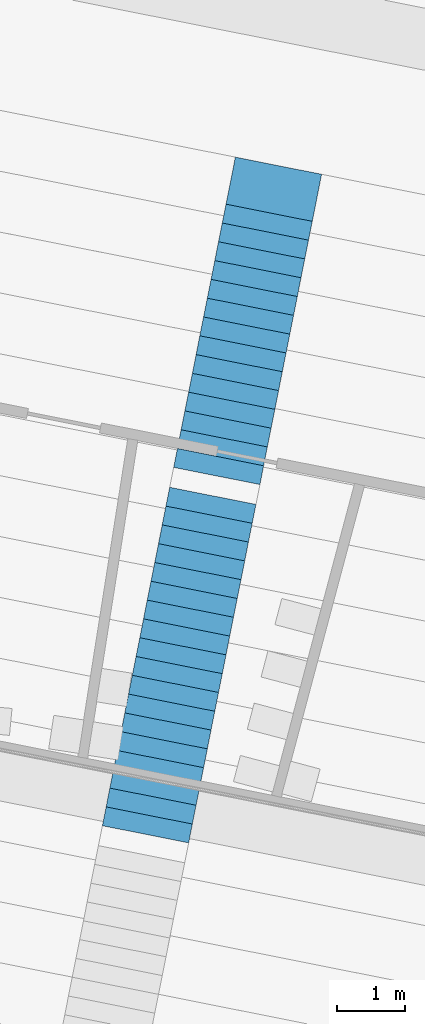
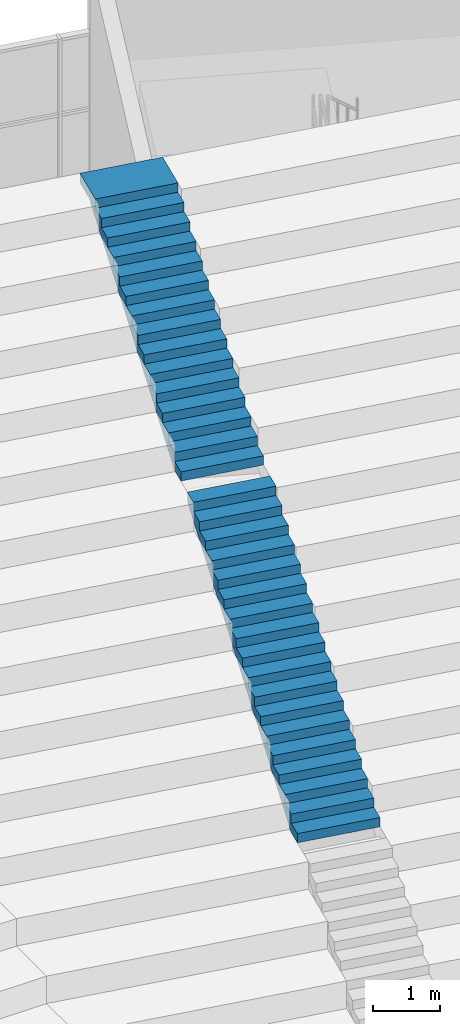
# One storey, part 206 of 249: 2 stair flights, 1 element without a shape of its own.
"""IFC4 building model written with IfcOpenShell, lengths in metres."""

from ifc_helpers import new_model, si_unit, direction, frame, origin, place, context, subcontext, project, spatial, faceted_brep, material, type_object, element, aggregate, save


model = new_model("IFC4")

# Units and contexts
model_context = context("Model", 3, precision=1e-05, world=origin(), true_north=direction((0.0, 1.0)))
body_context = subcontext(model_context, "Body", "Model", "MODEL_VIEW")
ifc_project = project(units=[si_unit("LENGTHUNIT", "METRE"), si_unit("AREAUNIT", "SQUARE_METRE"), si_unit("VOLUMEUNIT", "CUBIC_METRE"), si_unit("PLANEANGLEUNIT", "RADIAN"), si_unit("MASSUNIT", "GRAM", prefix="KILO")], contexts=[model_context])

# Site, building, storey
site_placement = place(None, origin())
site = spatial("IfcSite", under=ifc_project, at=site_placement, CompositionType="ELEMENT")
building_placement = place(site_placement, origin())
building = spatial("IfcBuilding", under=site, at=building_placement, Name="Ogive Plaza Stadium", CompositionType="ELEMENT")
storey_placement = place(building_placement, frame((0.0, 0.0, 13.5)))
storey = spatial("IfcBuildingStorey", under=building, at=storey_placement, Name="L03", CompositionType="ELEMENT", Elevation=13.5)

# Stair, stair flights
ifc_material_1 = material(Name="Concrete C40/50", Category="concrete")
stair_type = type_object("IfcStairType", Name="Aisle stair", PredefinedType="STRAIGHT_RUN_STAIR", material=ifc_material_1)
stair_placement = place(storey_placement, origin())
stair = element("IfcStair", 1, at=stair_placement, inside=storey, type_object=stair_type, Name="Aisle stair SA37U", PredefinedType="STRAIGHT_RUN_STAIR")
ifc_material_2 = material(Name="Concrete C40/50", Category="concrete")
stair_flight_type = type_object("IfcStairFlightType", Name="Aisle stair flight", PredefinedType="STRAIGHT", material=ifc_material_2)
stair_flight_1_placement = place(storey_placement, frame((39.248046875, 78.883056640625, 3.5), z_axis=(0.0, 0.0, 1.0), x_axis=(0.195090322016, 0.980785280403, 0.0)))
stair_flight_1 = element("IfcStairFlight", 2, at=stair_flight_1_placement, type_object=stair_flight_type, Name="SA37U flight 2", NumberOfRisers=18, NumberOfTreads=17, PredefinedType="STRAIGHT", RiserHeight=0.166666667, TreadLength=0.283333333, context=body_context, shape_type="Brep", body=[
    faceted_brep([(0.295654296875, -0.64990234375, 0.0), (5.10009765625, -0.64990234375, 2.826171875), (5.10009765625, -0.64990234375, 3.0), (4.816650390625, -0.64990234375, 3.0), (4.816650390625, -0.64990234375, 2.833251953125), (4.533447265625, -0.64990234375, 2.833251953125), (4.533447265625, -0.64990234375, 2.666748046875), (4.25, -0.64990234375, 2.666748046875), (4.25, -0.64990234375, 2.5), (3.966552734375, -0.64990234375, 2.5), (3.966552734375, -0.64990234375, 2.333251953125), (3.683349609375, -0.64990234375, 2.333251953125), (3.683349609375, -0.64990234375, 2.166748046875), (3.39990234375, -0.64990234375, 2.166748046875), (3.39990234375, -0.64990234375, 2.0), (3.11669921875, -0.64990234375, 2.0), (3.11669921875, -0.64990234375, 1.833251953125), (2.833251953125, -0.64990234375, 1.833251953125), (2.833251953125, -0.64990234375, 1.666748046875), (2.550048828125, -0.64990234375, 1.666748046875), (2.550048828125, -0.64990234375, 1.5), (2.2666015625, -0.64990234375, 1.5), (2.2666015625, -0.64990234375, 1.333251953125), (1.9833984375, -0.64990234375, 1.333251953125), (1.9833984375, -0.64990234375, 1.166748046875), (1.699951171875, -0.64990234375, 1.166748046875), (1.699951171875, -0.64990234375, 1.0), (1.416748046875, -0.64990234375, 1.0), (1.416748046875, -0.64990234375, 0.833251953125), (1.13330078125, -0.64990234375, 0.833251953125), (1.13330078125, -0.64990234375, 0.666748046875), (0.85009765625, -0.64990234375, 0.666748046875), (0.85009765625, -0.64990234375, 0.5), (0.566650390625, -0.64990234375, 0.5), (0.566650390625, -0.64990234375, 0.333251953125), (0.283447265625, -0.64990234375, 0.333251953125), (0.283447265625, -0.64990234375, 0.166748046875), (0.0, -0.64990234375, 0.166748046875), (0.0, -0.64990234375, 0.0), (0.0, 0.64990234375, 0.0), (0.0, 0.64990234375, 0.166748046875), (0.283447265625, 0.64990234375, 0.166748046875), (0.283447265625, 0.64990234375, 0.333251953125), (0.566650390625, 0.64990234375, 0.333251953125), (0.566650390625, 0.64990234375, 0.5), (0.85009765625, 0.64990234375, 0.5), (0.85009765625, 0.64990234375, 0.666748046875), (1.13330078125, 0.64990234375, 0.666748046875), (1.13330078125, 0.64990234375, 0.833251953125), (1.416748046875, 0.64990234375, 0.833251953125), (1.416748046875, 0.64990234375, 1.0), (1.699951171875, 0.64990234375, 1.0), (1.699951171875, 0.64990234375, 1.166748046875), (1.9833984375, 0.64990234375, 1.166748046875), (1.9833984375, 0.64990234375, 1.333251953125), (2.2666015625, 0.64990234375, 1.333251953125), (2.2666015625, 0.64990234375, 1.5), (2.550048828125, 0.64990234375, 1.5), (2.550048828125, 0.64990234375, 1.666748046875), (2.833251953125, 0.64990234375, 1.666748046875), (2.833251953125, 0.64990234375, 1.833251953125), (3.11669921875, 0.64990234375, 1.833251953125), (3.11669921875, 0.64990234375, 2.0), (3.39990234375, 0.64990234375, 2.0), (3.39990234375, 0.64990234375, 2.166748046875), (3.683349609375, 0.64990234375, 2.166748046875), (3.683349609375, 0.64990234375, 2.333251953125), (3.966552734375, 0.64990234375, 2.333251953125), (3.966552734375, 0.64990234375, 2.5), (4.25, 0.64990234375, 2.5), (4.25, 0.64990234375, 2.666748046875), (4.533447265625, 0.64990234375, 2.666748046875), (4.533447265625, 0.64990234375, 2.833251953125), (4.816650390625, 0.64990234375, 2.833251953125), (4.816650390625, 0.64990234375, 3.0), (5.10009765625, 0.64990234375, 3.0), (5.10009765625, 0.64990234375, 2.826171875), (0.295654296875, 0.64990234375, 0.0), (0.295654296875, -0.324951171875, 0.0), (5.10009765625, -0.324951171875, 2.826171875), (0.295654296875, 0.0, 0.0), (5.10009765625, 0.0, 2.826171875), (0.295654296875, 0.324951171875, 0.0), (5.10009765625, 0.324951171875, 2.826171875), (5.10009765625, -0.324951171875, 3.0), (5.10009765625, 0.0, 3.0), (5.10009765625, 0.324951171875, 3.0), (4.816650390625, -0.324951171875, 3.0), (4.816650390625, 0.0, 3.0), (4.816650390625, 0.324951171875, 3.0), (4.816650390625, -0.324951171875, 2.833251953125), (4.816650390625, 0.0, 2.833251953125), (4.816650390625, 0.324951171875, 2.833251953125), (4.533447265625, -0.324951171875, 2.833251953125), (4.533447265625, 0.0, 2.833251953125), (4.533447265625, 0.324951171875, 2.833251953125), (4.533447265625, -0.324951171875, 2.666748046875), (4.533447265625, 0.0, 2.666748046875), (4.533447265625, 0.324951171875, 2.666748046875), (4.25, -0.324951171875, 2.666748046875), (4.25, 0.0, 2.666748046875), (4.25, 0.324951171875, 2.666748046875), (4.25, -0.324951171875, 2.5), (4.25, 0.0, 2.5), (4.25, 0.324951171875, 2.5), (3.966552734375, -0.324951171875, 2.5), (3.966552734375, 0.0, 2.5), (3.966552734375, 0.324951171875, 2.5), (3.966552734375, -0.324951171875, 2.333251953125), (3.966552734375, 0.0, 2.333251953125), (3.966552734375, 0.324951171875, 2.333251953125), (3.683349609375, -0.324951171875, 2.333251953125), (3.683349609375, 0.0, 2.333251953125), (3.683349609375, 0.324951171875, 2.333251953125), (3.683349609375, -0.324951171875, 2.166748046875), (3.683349609375, 0.0, 2.166748046875), (3.683349609375, 0.324951171875, 2.166748046875), (3.39990234375, -0.324951171875, 2.166748046875), (3.39990234375, 0.0, 2.166748046875), (3.39990234375, 0.324951171875, 2.166748046875), (3.39990234375, -0.324951171875, 2.0), (3.39990234375, 0.0, 2.0), (3.39990234375, 0.324951171875, 2.0), (3.11669921875, -0.324951171875, 2.0), (3.11669921875, 0.0, 2.0), (3.11669921875, 0.324951171875, 2.0), (3.11669921875, -0.324951171875, 1.833251953125), (3.11669921875, 0.0, 1.833251953125), (3.11669921875, 0.324951171875, 1.833251953125), (2.833251953125, -0.324951171875, 1.833251953125), (2.833251953125, 0.0, 1.833251953125), (2.833251953125, 0.324951171875, 1.833251953125), (2.833251953125, -0.324951171875, 1.666748046875), (2.833251953125, 0.0, 1.666748046875), (2.833251953125, 0.324951171875, 1.666748046875), (2.550048828125, -0.324951171875, 1.666748046875), (2.550048828125, 0.0, 1.666748046875), (2.550048828125, 0.324951171875, 1.666748046875), (2.550048828125, -0.324951171875, 1.5), (2.550048828125, 0.0, 1.5), (2.550048828125, 0.324951171875, 1.5), (2.2666015625, -0.324951171875, 1.5), (2.2666015625, 0.0, 1.5), (2.2666015625, 0.324951171875, 1.5), (2.2666015625, -0.324951171875, 1.333251953125), (2.2666015625, 0.0, 1.333251953125), (2.2666015625, 0.324951171875, 1.333251953125), (1.9833984375, -0.324951171875, 1.333251953125), (1.9833984375, 0.0, 1.333251953125), (1.9833984375, 0.324951171875, 1.333251953125), (1.9833984375, -0.324951171875, 1.166748046875), (1.9833984375, 0.0, 1.166748046875), (1.9833984375, 0.324951171875, 1.166748046875), (1.699951171875, -0.324951171875, 1.166748046875), (1.699951171875, 0.0, 1.166748046875), (1.699951171875, 0.324951171875, 1.166748046875), (1.699951171875, -0.324951171875, 1.0), (1.699951171875, 0.0, 1.0), (1.699951171875, 0.324951171875, 1.0), (1.416748046875, -0.324951171875, 1.0), (1.416748046875, 0.0, 1.0), (1.416748046875, 0.324951171875, 1.0), (1.416748046875, -0.324951171875, 0.833251953125), (1.416748046875, 0.0, 0.833251953125), (1.416748046875, 0.324951171875, 0.833251953125), (1.13330078125, -0.324951171875, 0.833251953125), (1.13330078125, 0.0, 0.833251953125), (1.13330078125, 0.324951171875, 0.833251953125), (1.13330078125, -0.324951171875, 0.666748046875), (1.13330078125, 0.0, 0.666748046875), (1.13330078125, 0.324951171875, 0.666748046875), (0.85009765625, -0.324951171875, 0.666748046875), (0.85009765625, 0.0, 0.666748046875), (0.85009765625, 0.324951171875, 0.666748046875), (0.85009765625, -0.324951171875, 0.5), (0.85009765625, 0.0, 0.5), (0.85009765625, 0.324951171875, 0.5), (0.566650390625, -0.324951171875, 0.5), (0.566650390625, 0.0, 0.5), (0.566650390625, 0.324951171875, 0.5), (0.566650390625, -0.324951171875, 0.333251953125), (0.566650390625, 0.0, 0.333251953125), (0.566650390625, 0.324951171875, 0.333251953125), (0.283447265625, -0.324951171875, 0.333251953125), (0.283447265625, 0.0, 0.333251953125), (0.283447265625, 0.324951171875, 0.333251953125), (0.283447265625, -0.324951171875, 0.166748046875), (0.283447265625, 0.0, 0.166748046875), (0.283447265625, 0.324951171875, 0.166748046875), (0.0, -0.324951171875, 0.166748046875), (0.0, 0.0, 0.166748046875), (0.0, 0.324951171875, 0.166748046875), (0.0, -0.324951171875, 0.0), (0.0, 0.0, 0.0), (0.0, 0.324951171875, 0.0)], [[[0, 1, 2, 3, 4, 5, 6, 7, 8, 9, 10, 11, 12, 13, 14, 15, 16, 17, 18, 19, 20, 21, 22, 23, 24, 25, 26, 27, 28, 29, 30, 31, 32, 33, 34, 35, 36, 37, 38]], [[39, 40, 41, 42, 43, 44, 45, 46, 47, 48, 49, 50, 51, 52, 53, 54, 55, 56, 57, 58, 59, 60, 61, 62, 63, 64, 65, 66, 67, 68, 69, 70, 71, 72, 73, 74, 75, 76, 77]], [[0, 78, 79, 1]], [[78, 80, 81, 79]], [[80, 82, 83, 81]], [[82, 77, 76, 83]], [[1, 79, 84, 2]], [[79, 81, 85, 84]], [[81, 83, 86, 85]], [[83, 76, 75, 86]], [[2, 84, 87, 3]], [[84, 85, 88, 87]], [[85, 86, 89, 88]], [[86, 75, 74, 89]], [[3, 87, 90, 4]], [[87, 88, 91, 90]], [[88, 89, 92, 91]], [[89, 74, 73, 92]], [[4, 90, 93, 5]], [[90, 91, 94, 93]], [[91, 92, 95, 94]], [[92, 73, 72, 95]], [[5, 93, 96, 6]], [[93, 94, 97, 96]], [[94, 95, 98, 97]], [[95, 72, 71, 98]], [[6, 96, 99, 7]], [[96, 97, 100, 99]], [[97, 98, 101, 100]], [[98, 71, 70, 101]], [[7, 99, 102, 8]], [[99, 100, 103, 102]], [[100, 101, 104, 103]], [[101, 70, 69, 104]], [[8, 102, 105, 9]], [[102, 103, 106, 105]], [[103, 104, 107, 106]], [[104, 69, 68, 107]], [[9, 105, 108, 10]], [[105, 106, 109, 108]], [[106, 107, 110, 109]], [[107, 68, 67, 110]], [[10, 108, 111, 11]], [[108, 109, 112, 111]], [[109, 110, 113, 112]], [[110, 67, 66, 113]], [[11, 111, 114, 12]], [[111, 112, 115, 114]], [[112, 113, 116, 115]], [[113, 66, 65, 116]], [[12, 114, 117, 13]], [[114, 115, 118, 117]], [[115, 116, 119, 118]], [[116, 65, 64, 119]], [[13, 117, 120, 14]], [[117, 118, 121, 120]], [[118, 119, 122, 121]], [[119, 64, 63, 122]], [[14, 120, 123, 15]], [[120, 121, 124, 123]], [[121, 122, 125, 124]], [[122, 63, 62, 125]], [[15, 123, 126, 16]], [[123, 124, 127, 126]], [[124, 125, 128, 127]], [[125, 62, 61, 128]], [[16, 126, 129, 17]], [[126, 127, 130, 129]], [[127, 128, 131, 130]], [[128, 61, 60, 131]], [[17, 129, 132, 18]], [[129, 130, 133, 132]], [[130, 131, 134, 133]], [[131, 60, 59, 134]], [[18, 132, 135, 19]], [[132, 133, 136, 135]], [[133, 134, 137, 136]], [[134, 59, 58, 137]], [[19, 135, 138, 20]], [[135, 136, 139, 138]], [[136, 137, 140, 139]], [[137, 58, 57, 140]], [[20, 138, 141, 21]], [[138, 139, 142, 141]], [[139, 140, 143, 142]], [[140, 57, 56, 143]], [[21, 141, 144, 22]], [[141, 142, 145, 144]], [[142, 143, 146, 145]], [[143, 56, 55, 146]], [[22, 144, 147, 23]], [[144, 145, 148, 147]], [[145, 146, 149, 148]], [[146, 55, 54, 149]], [[23, 147, 150, 24]], [[147, 148, 151, 150]], [[148, 149, 152, 151]], [[149, 54, 53, 152]], [[24, 150, 153, 25]], [[150, 151, 154, 153]], [[151, 152, 155, 154]], [[152, 53, 52, 155]], [[25, 153, 156, 26]], [[153, 154, 157, 156]], [[154, 155, 158, 157]], [[155, 52, 51, 158]], [[26, 156, 159, 27]], [[156, 157, 160, 159]], [[157, 158, 161, 160]], [[158, 51, 50, 161]], [[27, 159, 162, 28]], [[159, 160, 163, 162]], [[160, 161, 164, 163]], [[161, 50, 49, 164]], [[28, 162, 165, 29]], [[162, 163, 166, 165]], [[163, 164, 167, 166]], [[164, 49, 48, 167]], [[29, 165, 168, 30]], [[165, 166, 169, 168]], [[166, 167, 170, 169]], [[167, 48, 47, 170]], [[30, 168, 171, 31]], [[168, 169, 172, 171]], [[169, 170, 173, 172]], [[170, 47, 46, 173]], [[31, 171, 174, 32]], [[171, 172, 175, 174]], [[172, 173, 176, 175]], [[173, 46, 45, 176]], [[32, 174, 177, 33]], [[174, 175, 178, 177]], [[175, 176, 179, 178]], [[176, 45, 44, 179]], [[33, 177, 180, 34]], [[177, 178, 181, 180]], [[178, 179, 182, 181]], [[179, 44, 43, 182]], [[34, 180, 183, 35]], [[180, 181, 184, 183]], [[181, 182, 185, 184]], [[182, 43, 42, 185]], [[35, 183, 186, 36]], [[183, 184, 187, 186]], [[184, 185, 188, 187]], [[185, 42, 41, 188]], [[36, 186, 189, 37]], [[186, 187, 190, 189]], [[187, 188, 191, 190]], [[188, 41, 40, 191]], [[37, 189, 192, 38]], [[189, 190, 193, 192]], [[190, 191, 194, 193]], [[191, 40, 39, 194]], [[38, 192, 78, 0]], [[192, 193, 80, 78]], [[193, 194, 82, 80]], [[194, 39, 77, 82]]]),
])
stair_flight_2_placement = place(storey_placement, frame((40.301513671875, 84.179443359375, 6.5), z_axis=(0.0, 0.0, 1.0), x_axis=(0.195090322016, 0.980785280403, 0.0)))
stair_flight_2 = element("IfcStairFlight", 3, at=stair_flight_2_placement, type_object=stair_flight_type, Name="SA37U flight 3", NumberOfRisers=15, NumberOfTreads=14, PredefinedType="STRAIGHT", RiserHeight=0.166666667, TreadLength=0.283333333, context=body_context, shape_type="Brep", body=[
    faceted_brep([(0.295654296875, -0.64990234375, 0.0), (4.25, -0.64990234375, 2.326171875), (4.675537109375, -0.64990234375, 2.326171875), (4.675537109375, -0.64990234375, 2.5), (3.966552734375, -0.64990234375, 2.5), (3.966552734375, -0.64990234375, 2.333251953125), (3.683349609375, -0.64990234375, 2.333251953125), (3.683349609375, -0.64990234375, 2.166748046875), (3.39990234375, -0.64990234375, 2.166748046875), (3.39990234375, -0.64990234375, 2.0), (3.11669921875, -0.64990234375, 2.0), (3.11669921875, -0.64990234375, 1.833251953125), (2.833251953125, -0.64990234375, 1.833251953125), (2.833251953125, -0.64990234375, 1.666748046875), (2.550048828125, -0.64990234375, 1.666748046875), (2.550048828125, -0.64990234375, 1.5), (2.2666015625, -0.64990234375, 1.5), (2.2666015625, -0.64990234375, 1.333251953125), (1.9833984375, -0.64990234375, 1.333251953125), (1.9833984375, -0.64990234375, 1.166748046875), (1.699951171875, -0.64990234375, 1.166748046875), (1.699951171875, -0.64990234375, 1.0), (1.416748046875, -0.64990234375, 1.0), (1.416748046875, -0.64990234375, 0.833251953125), (1.13330078125, -0.64990234375, 0.833251953125), (1.13330078125, -0.64990234375, 0.666748046875), (0.85009765625, -0.64990234375, 0.666748046875), (0.85009765625, -0.64990234375, 0.5), (0.566650390625, -0.64990234375, 0.5), (0.566650390625, -0.64990234375, 0.333251953125), (0.283447265625, -0.64990234375, 0.333251953125), (0.283447265625, -0.64990234375, 0.166748046875), (0.0, -0.64990234375, 0.166748046875), (0.0, -0.64990234375, 0.0), (0.0, 0.64990234375, 0.0), (0.0, 0.64990234375, 0.166748046875), (0.283447265625, 0.64990234375, 0.166748046875), (0.283447265625, 0.64990234375, 0.333251953125), (0.566650390625, 0.64990234375, 0.333251953125), (0.566650390625, 0.64990234375, 0.5), (0.85009765625, 0.64990234375, 0.5), (0.85009765625, 0.64990234375, 0.666748046875), (1.13330078125, 0.64990234375, 0.666748046875), (1.13330078125, 0.64990234375, 0.833251953125), (1.416748046875, 0.64990234375, 0.833251953125), (1.416748046875, 0.64990234375, 1.0), (1.699951171875, 0.64990234375, 1.0), (1.699951171875, 0.64990234375, 1.166748046875), (1.9833984375, 0.64990234375, 1.166748046875), (1.9833984375, 0.64990234375, 1.333251953125), (2.2666015625, 0.64990234375, 1.333251953125), (2.2666015625, 0.64990234375, 1.5), (2.550048828125, 0.64990234375, 1.5), (2.550048828125, 0.64990234375, 1.666748046875), (2.833251953125, 0.64990234375, 1.666748046875), (2.833251953125, 0.64990234375, 1.833251953125), (3.11669921875, 0.64990234375, 1.833251953125), (3.11669921875, 0.64990234375, 2.0), (3.39990234375, 0.64990234375, 2.0), (3.39990234375, 0.64990234375, 2.166748046875), (3.683349609375, 0.64990234375, 2.166748046875), (3.683349609375, 0.64990234375, 2.333251953125), (3.966552734375, 0.64990234375, 2.333251953125), (3.966552734375, 0.64990234375, 2.5), (4.675537109375, 0.64990234375, 2.5), (4.675537109375, 0.64990234375, 2.326171875), (4.25, 0.64990234375, 2.326171875), (0.295654296875, 0.64990234375, 0.0), (0.295654296875, -0.324951171875, 0.0), (4.25, -0.324951171875, 2.326171875), (0.295654296875, 0.0, 0.0), (4.25, 0.0, 2.326171875), (0.295654296875, 0.324951171875, 0.0), (4.25, 0.324951171875, 2.326171875), (4.675537109375, -0.324951171875, 2.326171875), (4.675537109375, 0.0, 2.326171875), (4.675537109375, 0.324951171875, 2.326171875), (4.675537109375, -0.324951171875, 2.5), (4.675537109375, 0.0, 2.5), (4.675537109375, 0.324951171875, 2.5), (3.966552734375, -0.324951171875, 2.5), (3.966552734375, 0.0, 2.5), (3.966552734375, 0.324951171875, 2.5), (3.966552734375, -0.324951171875, 2.333251953125), (3.966552734375, 0.0, 2.333251953125), (3.966552734375, 0.324951171875, 2.333251953125), (3.683349609375, -0.324951171875, 2.333251953125), (3.683349609375, 0.0, 2.333251953125), (3.683349609375, 0.324951171875, 2.333251953125), (3.683349609375, -0.324951171875, 2.166748046875), (3.683349609375, 0.0, 2.166748046875), (3.683349609375, 0.324951171875, 2.166748046875), (3.39990234375, -0.324951171875, 2.166748046875), (3.39990234375, 0.0, 2.166748046875), (3.39990234375, 0.324951171875, 2.166748046875), (3.39990234375, -0.324951171875, 2.0), (3.39990234375, 0.0, 2.0), (3.39990234375, 0.324951171875, 2.0), (3.11669921875, -0.324951171875, 2.0), (3.11669921875, 0.0, 2.0), (3.11669921875, 0.324951171875, 2.0), (3.11669921875, -0.324951171875, 1.833251953125), (3.11669921875, 0.0, 1.833251953125), (3.11669921875, 0.324951171875, 1.833251953125), (2.833251953125, -0.324951171875, 1.833251953125), (2.833251953125, 0.0, 1.833251953125), (2.833251953125, 0.324951171875, 1.833251953125), (2.833251953125, -0.324951171875, 1.666748046875), (2.833251953125, 0.0, 1.666748046875), (2.833251953125, 0.324951171875, 1.666748046875), (2.550048828125, -0.324951171875, 1.666748046875), (2.550048828125, 0.0, 1.666748046875), (2.550048828125, 0.324951171875, 1.666748046875), (2.550048828125, -0.324951171875, 1.5), (2.550048828125, 0.0, 1.5), (2.550048828125, 0.324951171875, 1.5), (2.2666015625, -0.324951171875, 1.5), (2.2666015625, 0.0, 1.5), (2.2666015625, 0.324951171875, 1.5), (2.2666015625, -0.324951171875, 1.333251953125), (2.2666015625, 0.0, 1.333251953125), (2.2666015625, 0.324951171875, 1.333251953125), (1.9833984375, -0.324951171875, 1.333251953125), (1.9833984375, 0.0, 1.333251953125), (1.9833984375, 0.324951171875, 1.333251953125), (1.9833984375, -0.324951171875, 1.166748046875), (1.9833984375, 0.0, 1.166748046875), (1.9833984375, 0.324951171875, 1.166748046875), (1.699951171875, -0.324951171875, 1.166748046875), (1.699951171875, 0.0, 1.166748046875), (1.699951171875, 0.324951171875, 1.166748046875), (1.699951171875, -0.324951171875, 1.0), (1.699951171875, 0.0, 1.0), (1.699951171875, 0.324951171875, 1.0), (1.416748046875, -0.324951171875, 1.0), (1.416748046875, 0.0, 1.0), (1.416748046875, 0.324951171875, 1.0), (1.416748046875, -0.324951171875, 0.833251953125), (1.416748046875, 0.0, 0.833251953125), (1.416748046875, 0.324951171875, 0.833251953125), (1.13330078125, -0.324951171875, 0.833251953125), (1.13330078125, 0.0, 0.833251953125), (1.13330078125, 0.324951171875, 0.833251953125), (1.13330078125, -0.324951171875, 0.666748046875), (1.13330078125, 0.0, 0.666748046875), (1.13330078125, 0.324951171875, 0.666748046875), (0.85009765625, -0.324951171875, 0.666748046875), (0.85009765625, 0.0, 0.666748046875), (0.85009765625, 0.324951171875, 0.666748046875), (0.85009765625, -0.324951171875, 0.5), (0.85009765625, 0.0, 0.5), (0.85009765625, 0.324951171875, 0.5), (0.566650390625, -0.324951171875, 0.5), (0.566650390625, 0.0, 0.5), (0.566650390625, 0.324951171875, 0.5), (0.566650390625, -0.324951171875, 0.333251953125), (0.566650390625, 0.0, 0.333251953125), (0.566650390625, 0.324951171875, 0.333251953125), (0.283447265625, -0.324951171875, 0.333251953125), (0.283447265625, 0.0, 0.333251953125), (0.283447265625, 0.324951171875, 0.333251953125), (0.283447265625, -0.324951171875, 0.166748046875), (0.283447265625, 0.0, 0.166748046875), (0.283447265625, 0.324951171875, 0.166748046875), (0.0, -0.324951171875, 0.166748046875), (0.0, 0.0, 0.166748046875), (0.0, 0.324951171875, 0.166748046875), (0.0, -0.324951171875, 0.0), (0.0, 0.0, 0.0), (0.0, 0.324951171875, 0.0)], [[[0, 1, 2, 3, 4, 5, 6, 7, 8, 9, 10, 11, 12, 13, 14, 15, 16, 17, 18, 19, 20, 21, 22, 23, 24, 25, 26, 27, 28, 29, 30, 31, 32, 33]], [[34, 35, 36, 37, 38, 39, 40, 41, 42, 43, 44, 45, 46, 47, 48, 49, 50, 51, 52, 53, 54, 55, 56, 57, 58, 59, 60, 61, 62, 63, 64, 65, 66, 67]], [[0, 68, 69, 1]], [[68, 70, 71, 69]], [[70, 72, 73, 71]], [[72, 67, 66, 73]], [[1, 69, 74, 2]], [[69, 71, 75, 74]], [[71, 73, 76, 75]], [[73, 66, 65, 76]], [[2, 74, 77, 3]], [[74, 75, 78, 77]], [[75, 76, 79, 78]], [[76, 65, 64, 79]], [[3, 77, 80, 4]], [[77, 78, 81, 80]], [[78, 79, 82, 81]], [[79, 64, 63, 82]], [[4, 80, 83, 5]], [[80, 81, 84, 83]], [[81, 82, 85, 84]], [[82, 63, 62, 85]], [[5, 83, 86, 6]], [[83, 84, 87, 86]], [[84, 85, 88, 87]], [[85, 62, 61, 88]], [[6, 86, 89, 7]], [[86, 87, 90, 89]], [[87, 88, 91, 90]], [[88, 61, 60, 91]], [[7, 89, 92, 8]], [[89, 90, 93, 92]], [[90, 91, 94, 93]], [[91, 60, 59, 94]], [[8, 92, 95, 9]], [[92, 93, 96, 95]], [[93, 94, 97, 96]], [[94, 59, 58, 97]], [[9, 95, 98, 10]], [[95, 96, 99, 98]], [[96, 97, 100, 99]], [[97, 58, 57, 100]], [[10, 98, 101, 11]], [[98, 99, 102, 101]], [[99, 100, 103, 102]], [[100, 57, 56, 103]], [[11, 101, 104, 12]], [[101, 102, 105, 104]], [[102, 103, 106, 105]], [[103, 56, 55, 106]], [[12, 104, 107, 13]], [[104, 105, 108, 107]], [[105, 106, 109, 108]], [[106, 55, 54, 109]], [[13, 107, 110, 14]], [[107, 108, 111, 110]], [[108, 109, 112, 111]], [[109, 54, 53, 112]], [[14, 110, 113, 15]], [[110, 111, 114, 113]], [[111, 112, 115, 114]], [[112, 53, 52, 115]], [[15, 113, 116, 16]], [[113, 114, 117, 116]], [[114, 115, 118, 117]], [[115, 52, 51, 118]], [[16, 116, 119, 17]], [[116, 117, 120, 119]], [[117, 118, 121, 120]], [[118, 51, 50, 121]], [[17, 119, 122, 18]], [[119, 120, 123, 122]], [[120, 121, 124, 123]], [[121, 50, 49, 124]], [[18, 122, 125, 19]], [[122, 123, 126, 125]], [[123, 124, 127, 126]], [[124, 49, 48, 127]], [[19, 125, 128, 20]], [[125, 126, 129, 128]], [[126, 127, 130, 129]], [[127, 48, 47, 130]], [[20, 128, 131, 21]], [[128, 129, 132, 131]], [[129, 130, 133, 132]], [[130, 47, 46, 133]], [[21, 131, 134, 22]], [[131, 132, 135, 134]], [[132, 133, 136, 135]], [[133, 46, 45, 136]], [[22, 134, 137, 23]], [[134, 135, 138, 137]], [[135, 136, 139, 138]], [[136, 45, 44, 139]], [[23, 137, 140, 24]], [[137, 138, 141, 140]], [[138, 139, 142, 141]], [[139, 44, 43, 142]], [[24, 140, 143, 25]], [[140, 141, 144, 143]], [[141, 142, 145, 144]], [[142, 43, 42, 145]], [[25, 143, 146, 26]], [[143, 144, 147, 146]], [[144, 145, 148, 147]], [[145, 42, 41, 148]], [[26, 146, 149, 27]], [[146, 147, 150, 149]], [[147, 148, 151, 150]], [[148, 41, 40, 151]], [[27, 149, 152, 28]], [[149, 150, 153, 152]], [[150, 151, 154, 153]], [[151, 40, 39, 154]], [[28, 152, 155, 29]], [[152, 153, 156, 155]], [[153, 154, 157, 156]], [[154, 39, 38, 157]], [[29, 155, 158, 30]], [[155, 156, 159, 158]], [[156, 157, 160, 159]], [[157, 38, 37, 160]], [[30, 158, 161, 31]], [[158, 159, 162, 161]], [[159, 160, 163, 162]], [[160, 37, 36, 163]], [[31, 161, 164, 32]], [[161, 162, 165, 164]], [[162, 163, 166, 165]], [[163, 36, 35, 166]], [[32, 164, 167, 33]], [[164, 165, 168, 167]], [[165, 166, 169, 168]], [[166, 35, 34, 169]], [[33, 167, 68, 0]], [[167, 168, 70, 68]], [[168, 169, 72, 70]], [[169, 34, 67, 72]]]),
])
aggregate(stair, [stair_flight_1, stair_flight_2])

save(model, "model.ifc")
